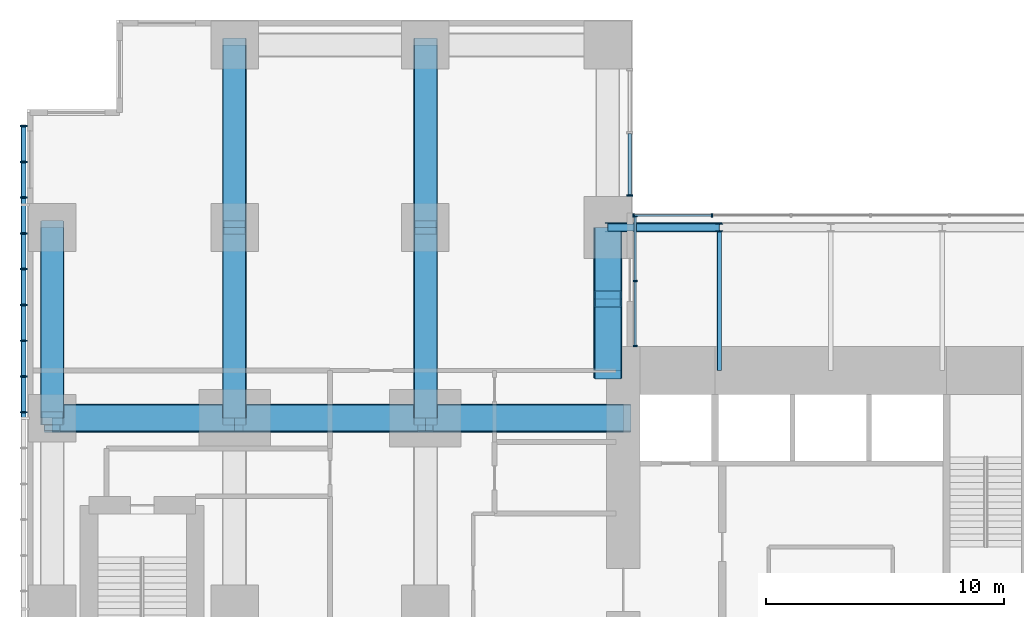
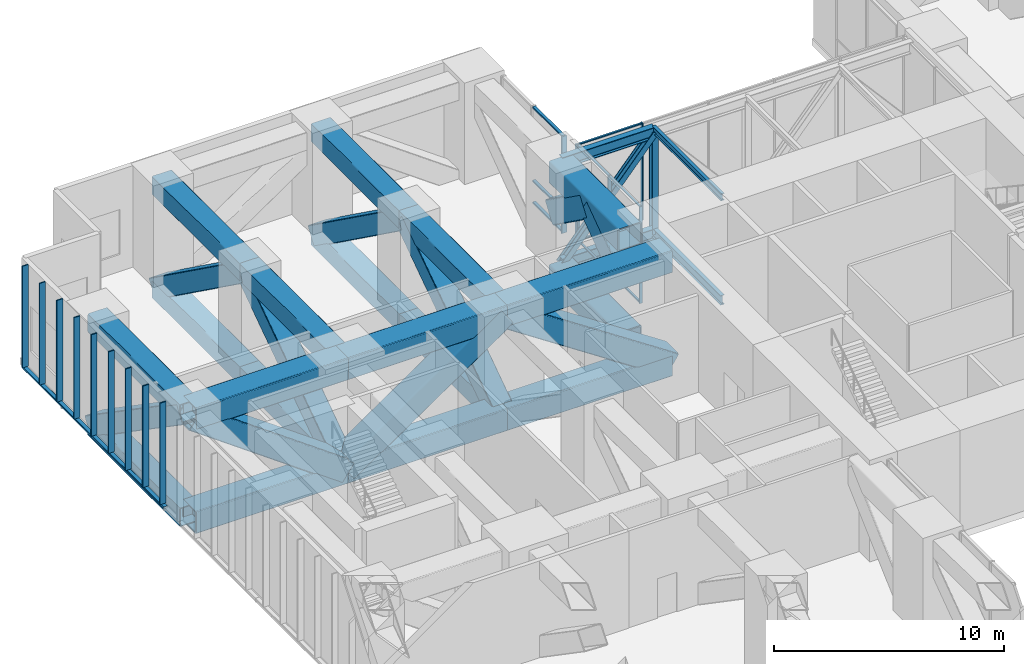
# One storey, part 4 of 17: 55 members, 4 beams, 3 elements without a shape of their own.
"""IFC4 building model written with IfcOpenShell, lengths in metres."""

from ifc_helpers import new_model, si_unit, direction, frame, origin, origin_2d, place, context, subcontext, project, spatial, rectangle, hollow_rectangle, i_section, extrude, material, layer, layer_set, material_profile, profile_set, type_object, element, aggregate, save


model = new_model("IFC4")

# Units and contexts
model_context = context("Model", 3, precision=1e-05, world=origin(), true_north=direction((0.0, 1.0)))
body_context = subcontext(model_context, "Body", "Model", "MODEL_VIEW")
ifc_project = project(units=[si_unit("LENGTHUNIT", "METRE"), si_unit("AREAUNIT", "SQUARE_METRE"), si_unit("VOLUMEUNIT", "CUBIC_METRE"), si_unit("PLANEANGLEUNIT", "RADIAN"), si_unit("MASSUNIT", "GRAM", prefix="KILO")], contexts=[model_context])

# Site, building, storey
site_placement = place(None, origin())
site = spatial("IfcSite", under=ifc_project, at=site_placement, CompositionType="ELEMENT")
building_placement = place(site_placement, origin())
building = spatial("IfcBuilding", under=site, at=building_placement, Name="Cleftline Residences", CompositionType="ELEMENT")
storey_placement = place(building_placement, frame((0.0, 0.0, 90.800048828125)))
storey = spatial("IfcBuildingStorey", under=building, at=storey_placement, Name="L23", CompositionType="ELEMENT", Elevation=90.800048828125)

# Member
ifc_material_1 = material(Name="Steel S355, hot-dip galvanised", Category="steel")
ifc_material_profile_1 = material_profile(ifc_material_1, hollow_rectangle(XDim=0.10009765625, YDim=0.199951171875, WallThickness=0.008056640625, InnerFilletRadius=0.008056640625, OuterFilletRadius=0.011962890625, at=origin_2d()))
ifc_profile_set_1 = profile_set([ifc_material_profile_1], Name="Steel S355, hot-dip galvanised")
member_type_1 = type_object("IfcMemberType", Name="BAGUETTE CARRIER RHS 200X100X8", PredefinedType="USERDEFINED", material=ifc_profile_set_1)
member_1_placement = place(storey_placement, frame((-0.85009765625, 44.300048828125, -0.050048828125), z_axis=(0.0, -1.0, 0.0), x_axis=(0.0, 0.0, 1.0)))
element("IfcMember", 1, at=member_1_placement, inside=storey, type_object=member_type_1, Name="Baguette carrier", ObjectType="BAGUETTE CARRIER", PredefinedType="USERDEFINED", context=body_context, shape_type="SweptSolid", body=[
    extrude(hollow_rectangle(XDim=0.10009765625, YDim=0.199951171875, WallThickness=0.008056640625, InnerFilletRadius=0.008056640625, OuterFilletRadius=0.011962890625, at=origin_2d()), origin(), (0.0, 0.0, 1.0), 12.300048828125),
])

# Beams
ifc_material_2 = material(Name="Steel S355", Category="steel")
ifc_material_profile_2 = material_profile(ifc_material_2, i_section(OverallWidth=0.169921875, OverallDepth=0.360107421875, WebThickness=0.008056640625, FlangeThickness=0.0126953125, FilletRadius=0.01806640625, at=origin_2d()))
ifc_profile_set_2 = profile_set([ifc_material_profile_2], Name="Steel S355")
beam_type_1 = type_object("IfcBeamType", Name="BEAM IPE 360", PredefinedType="BEAM", material=ifc_profile_set_2)
beam_1_placement = place(storey_placement, frame((28.324951171875, 40.0, 5.02001953125), z_axis=(0.0, -1.0, 0.0), x_axis=(1.0, 0.0, 0.0)))
element("IfcBeam", 2, at=beam_1_placement, inside=storey, type_object=beam_type_1, Name="Bridge roof beam", PredefinedType="BEAM", context=body_context, shape_type="SweptSolid", body=[
    extrude(i_section(OverallWidth=0.169921875, OverallDepth=0.360107421875, WebThickness=0.008056640625, FlangeThickness=0.0126953125, FilletRadius=0.01806640625, at=origin_2d()), origin(), (0.0, 0.0, 1.0), 6.0),
])
ifc_material_3 = material(Name="Steel S355", Category="steel")
ifc_material_profile_3 = material_profile(ifc_material_3, i_section(OverallWidth=0.199951171875, OverallDepth=0.5, WebThickness=0.01025390625, FlangeThickness=0.01611328125, FilletRadius=0.02099609375, at=origin_2d()))
ifc_profile_set_3 = profile_set([ifc_material_profile_3], Name="Steel S355")
beam_type_2 = type_object("IfcBeamType", Name="BEAM IPE 500", PredefinedType="BEAM", material=ifc_profile_set_3)
beam_2_placement = place(storey_placement, frame((28.324951171875, 40.0, -0.449951171875), z_axis=(0.0, -1.0, 0.0), x_axis=(1.0, 0.0, 0.0)))
element("IfcBeam", 3, at=beam_2_placement, inside=storey, type_object=beam_type_2, Name="Bridge floor beam", PredefinedType="BEAM", context=body_context, shape_type="SweptSolid", body=[
    extrude(i_section(OverallWidth=0.199951171875, OverallDepth=0.5, WebThickness=0.01025390625, FlangeThickness=0.01611328125, FilletRadius=0.02099609375, at=origin_2d()), origin(), (0.0, 0.0, 1.0), 6.0),
])

# Members
ifc_material_4 = material(Name="Steel S355", Category="steel")
ifc_material_profile_4 = material_profile(ifc_material_4, hollow_rectangle(XDim=1.0, YDim=1.0, WallThickness=0.0400390625, InnerFilletRadius=0.0400390625, OuterFilletRadius=0.06005859375, at=origin_2d()))
ifc_profile_set_4 = profile_set([ifc_material_profile_4], Name="Steel S355")
member_type_2 = type_object("IfcMemberType", Name="BRACE BOX 1000X1000X40", PredefinedType="BRACE", material=ifc_profile_set_4)
for number, where, z_axis, x_axis, name in (
    (4, (0.35009765625, 32.0, 4.64990234375), (0.0, 0.824041924199, -0.566528822887), (0.0, 0.566528822887, 0.824041924199), "Belt truss diagonal"),
    (5, (8.0, 32.0, -0.85009765625), (0.0, 0.824041924199, 0.566528822887), (0.0, -0.566528822887, 0.824041924199), "Belt truss diagonal"),
):
    element("IfcMember", number, at=place(storey_placement, frame(where, z_axis=z_axis, x_axis=x_axis)), inside=storey, type_object=member_type_2, Name=name, PredefinedType="BRACE", context=body_context, shape_type="SweptSolid", body=[
        extrude(hollow_rectangle(XDim=1.0, YDim=1.0, WallThickness=0.0400390625, InnerFilletRadius=0.0400390625, OuterFilletRadius=0.06005859375, at=origin_2d()), origin(), (0.0, 0.0, 1.0), 9.708251953125),
    ])
member_2_placement = place(storey_placement, frame((8.0, 40.0, 4.64990234375), z_axis=(0.0, 0.811933238445, -0.583750303048), x_axis=(0.0, 0.583750303048, 0.811933238445)))
element("IfcMember", 6, at=member_2_placement, inside=storey, type_object=member_type_2, Name="Belt truss diagonal", PredefinedType="BRACE", context=body_context, shape_type="SweptSolid", body=[
    extrude(hollow_rectangle(XDim=1.0, YDim=1.0, WallThickness=0.0400390625, InnerFilletRadius=0.0400390625, OuterFilletRadius=0.06005859375, at=origin_2d()), origin(), (0.0, 0.0, 1.0), 9.421875),
])
member_3_placement = place(storey_placement, frame((16.0, 32.0, -0.85009765625), z_axis=(0.0, 0.824041924199, 0.566528822887), x_axis=(0.0, -0.566528822887, 0.824041924199)))
element("IfcMember", 7, at=member_3_placement, inside=storey, type_object=member_type_2, Name="Belt truss diagonal", PredefinedType="BRACE", context=body_context, shape_type="SweptSolid", body=[
    extrude(hollow_rectangle(XDim=1.0, YDim=1.0, WallThickness=0.0400390625, InnerFilletRadius=0.0400390625, OuterFilletRadius=0.06005859375, at=origin_2d()), origin(), (0.0, 0.0, 1.0), 9.708251953125),
])
member_4_placement = place(storey_placement, frame((16.0, 40.0, 4.64990234375), z_axis=(0.0, 0.811933238445, -0.583750303048), x_axis=(0.0, 0.583750303048, 0.811933238445)))
element("IfcMember", 8, at=member_4_placement, inside=storey, type_object=member_type_2, Name="Belt truss diagonal", PredefinedType="BRACE", context=body_context, shape_type="SweptSolid", body=[
    extrude(hollow_rectangle(XDim=1.0, YDim=1.0, WallThickness=0.0400390625, InnerFilletRadius=0.0400390625, OuterFilletRadius=0.06005859375, at=origin_2d()), origin(), (0.0, 0.0, 1.0), 9.421875),
])
ifc_material_5 = material(Name="Steel S355", Category="steel")
ifc_material_profile_5 = material_profile(ifc_material_5, hollow_rectangle(XDim=1.199951171875, YDim=1.199951171875, WallThickness=0.06005859375, InnerFilletRadius=0.06005859375, OuterFilletRadius=0.090087890625, at=origin_2d()))
ifc_profile_set_5 = profile_set([ifc_material_profile_5], Name="Steel S355")
member_type_3 = type_object("IfcMemberType", Name="BRACE BOX 1200X1200X60", PredefinedType="BRACE", material=ifc_profile_set_5)
member_5_placement = place(storey_placement, frame((24.300048828125, 32.0, -0.949951171875), z_axis=(-0.833593682581, 0.0, 0.552378106338), x_axis=(0.552378106338, 0.0, 0.833593682581)))
element("IfcMember", 9, at=member_5_placement, inside=storey, type_object=member_type_3, Name="Outrigger truss diagonal", PredefinedType="BRACE", context=body_context, shape_type="SweptSolid", body=[
    extrude(hollow_rectangle(XDim=1.199951171875, YDim=1.199951171875, WallThickness=0.06005859375, InnerFilletRadius=0.06005859375, OuterFilletRadius=0.090087890625, at=origin_2d()), origin(), (0.0, 0.0, 1.0), 9.95703125),
])
member_6_placement = place(storey_placement, frame((16.0, 32.0, 4.550048828125), z_axis=(-0.824041924199, 0.0, -0.566528822887), x_axis=(-0.566528822887, 0.0, 0.824041924199)))
element("IfcMember", 10, at=member_6_placement, inside=storey, type_object=member_type_3, Name="Outrigger truss diagonal", PredefinedType="BRACE", context=body_context, shape_type="SweptSolid", body=[
    extrude(hollow_rectangle(XDim=1.199951171875, YDim=1.199951171875, WallThickness=0.06005859375, InnerFilletRadius=0.06005859375, OuterFilletRadius=0.090087890625, at=origin_2d()), origin(), (0.0, 0.0, 1.0), 9.708251953125),
])
member_7_placement = place(storey_placement, frame((8.0, 32.0, -0.949951171875), z_axis=(-0.811933238445, 0.0, 0.583750303048), x_axis=(0.583750303048, 0.0, 0.811933238445)))
element("IfcMember", 11, at=member_7_placement, inside=storey, type_object=member_type_3, Name="Outrigger truss diagonal", PredefinedType="BRACE", context=body_context, shape_type="SweptSolid", body=[
    extrude(hollow_rectangle(XDim=1.199951171875, YDim=1.199951171875, WallThickness=0.06005859375, InnerFilletRadius=0.06005859375, OuterFilletRadius=0.090087890625, at=origin_2d()), origin(), (0.0, 0.0, 1.0), 9.421875),
])
for number, where, z_axis, x_axis, name in (
    (12, (23.64990234375, 40.0, 2.39990234375), (0.0, -0.812798335898, 0.582545161479), (0.0, 0.582545161479, 0.812798335898), "Outrigger truss diagonal"),
    (13, (23.64990234375, 34.0, 2.39990234375), (0.0, 0.812798335898, 0.582545161479), (0.0, -0.582545161479, 0.812798335898), "Outrigger truss diagonal"),
):
    element("IfcMember", number, at=place(storey_placement, frame(where, z_axis=z_axis, x_axis=x_axis)), inside=storey, type_object=member_type_3, Name=name, PredefinedType="BRACE", context=body_context, shape_type="SweptSolid", body=[
        extrude(hollow_rectangle(XDim=1.199951171875, YDim=1.199951171875, WallThickness=0.06005859375, InnerFilletRadius=0.06005859375, OuterFilletRadius=0.090087890625, at=origin_2d()), origin(), (0.0, 0.0, 1.0), 3.69091796875),
    ])
ifc_material_6 = material(Name="Steel S355", Category="steel")
ifc_material_profile_6 = material_profile(ifc_material_6, i_section(OverallWidth=0.300048828125, OverallDepth=0.39990234375, WebThickness=0.013427734375, FlangeThickness=0.02392578125, FilletRadius=0.027099609375, at=origin_2d()))
ifc_profile_set_6 = profile_set([ifc_material_profile_6], Name="Steel S355")
member_type_4 = type_object("IfcMemberType", Name="BRACE HEB 400", PredefinedType="BRACE", material=ifc_profile_set_6)
member_8_placement = place(storey_placement, frame((23.64990234375, 40.0, -0.5), z_axis=(0.654541355199, 0.0, 0.756026199503), x_axis=(-0.756026199503, 0.0, 0.654541355199)))
element("IfcMember", 14, at=member_8_placement, inside=storey, type_object=member_type_4, Name="Sky bridge truss diagonal", PredefinedType="BRACE", context=body_context, shape_type="SweptSolid", body=[
    extrude(i_section(OverallWidth=0.300048828125, OverallDepth=0.39990234375, WebThickness=0.013427734375, FlangeThickness=0.02392578125, FilletRadius=0.027099609375, at=origin_2d()), origin(), (0.0, 0.0, 1.0), 7.142578125),
])

# Beams
ifc_material_7 = material(Name="Steel S355", Category="steel")
ifc_material_profile_7 = material_profile(ifc_material_7, i_section(OverallWidth=0.300048828125, OverallDepth=0.60009765625, WebThickness=0.015380859375, FlangeThickness=0.030029296875, FilletRadius=0.027099609375, at=origin_2d()))
ifc_profile_set_7 = profile_set([ifc_material_profile_7], Name="Steel S355")
beam_type_3 = type_object("IfcBeamType", Name="BRIDGE CHORD HEB 600", PredefinedType="BEAM", material=ifc_profile_set_7)
for number, where, z_axis, x_axis, name in (
    (15, (23.64990234375, 40.0, -0.5), (1.0, 0.0, 0.0), (0.0, 1.0, 0.0), "Sky bridge truss bottom chord"),
    (16, (23.64990234375, 40.0, 4.89990234375), (1.0, 0.0, 0.0), (0.0, 1.0, 0.0), "Sky bridge truss top chord"),
):
    element("IfcBeam", number, at=place(storey_placement, frame(where, z_axis=z_axis, x_axis=x_axis)), inside=storey, type_object=beam_type_3, Name=name, PredefinedType="BEAM", context=body_context, shape_type="SweptSolid", body=[
        extrude(i_section(OverallWidth=0.300048828125, OverallDepth=0.60009765625, WebThickness=0.015380859375, FlangeThickness=0.030029296875, FilletRadius=0.027099609375, at=origin_2d()), origin(), (0.0, 0.0, 1.0), 4.675048828125),
    ])

# Members
ifc_material_8 = material(Name="Steel S355", Category="steel")
ifc_material_profile_8 = material_profile(ifc_material_8, hollow_rectangle(XDim=1.0, YDim=1.0, WallThickness=0.0400390625, InnerFilletRadius=0.0400390625, OuterFilletRadius=0.06005859375, at=origin_2d()))
ifc_profile_set_8 = profile_set([ifc_material_profile_8], Name="Steel S355")
member_type_5 = type_object("IfcMemberType", Name="CHORD BOX 1000X1000X40", PredefinedType="CHORD", material=ifc_profile_set_8)
for number, where, z_axis, x_axis, name in (
    (17, (0.35009765625, 32.0, -0.85009765625), (0.0, 1.0, 0.0), (-1.0, 0.0, 0.0), "Belt truss bottom chord"),
    (18, (0.35009765625, 32.0, 4.64990234375), (0.0, 1.0, 0.0), (-1.0, 0.0, 0.0), "Belt truss top chord"),
    (19, (8.0, 32.0, -0.85009765625), (0.0, 1.0, 0.0), (-1.0, 0.0, 0.0), "Belt truss bottom chord"),
    (20, (8.0, 32.0, 4.64990234375), (0.0, 1.0, 0.0), (-1.0, 0.0, 0.0), "Belt truss top chord"),
):
    element("IfcMember", number, at=place(storey_placement, frame(where, z_axis=z_axis, x_axis=x_axis)), inside=storey, type_object=member_type_5, Name=name, PredefinedType="CHORD", context=body_context, shape_type="SweptSolid", body=[
        extrude(hollow_rectangle(XDim=1.0, YDim=1.0, WallThickness=0.0400390625, InnerFilletRadius=0.0400390625, OuterFilletRadius=0.06005859375, at=origin_2d()), origin(), (0.0, 0.0, 1.0), 8.0),
    ])
for number, where, z_axis, x_axis, name in (
    (21, (8.0, 40.0, -0.85009765625), (0.0, 1.0, 0.0), (-1.0, 0.0, 0.0), "Belt truss bottom chord"),
    (22, (8.0, 40.0, 4.64990234375), (0.0, 1.0, 0.0), (-1.0, 0.0, 0.0), "Belt truss top chord"),
):
    element("IfcMember", number, at=place(storey_placement, frame(where, z_axis=z_axis, x_axis=x_axis)), inside=storey, type_object=member_type_5, Name=name, PredefinedType="CHORD", context=body_context, shape_type="SweptSolid", body=[
        extrude(hollow_rectangle(XDim=1.0, YDim=1.0, WallThickness=0.0400390625, InnerFilletRadius=0.0400390625, OuterFilletRadius=0.06005859375, at=origin_2d()), origin(), (0.0, 0.0, 1.0), 7.64990234375),
    ])
for number, where, z_axis, x_axis, name in (
    (23, (16.0, 32.0, -0.85009765625), (0.0, 1.0, 0.0), (-1.0, 0.0, 0.0), "Belt truss bottom chord"),
    (24, (16.0, 32.0, 4.64990234375), (0.0, 1.0, 0.0), (-1.0, 0.0, 0.0), "Belt truss top chord"),
):
    element("IfcMember", number, at=place(storey_placement, frame(where, z_axis=z_axis, x_axis=x_axis)), inside=storey, type_object=member_type_5, Name=name, PredefinedType="CHORD", context=body_context, shape_type="SweptSolid", body=[
        extrude(hollow_rectangle(XDim=1.0, YDim=1.0, WallThickness=0.0400390625, InnerFilletRadius=0.0400390625, OuterFilletRadius=0.06005859375, at=origin_2d()), origin(), (0.0, 0.0, 1.0), 8.0),
    ])
for number, where, z_axis, x_axis, name in (
    (25, (16.0, 40.0, -0.85009765625), (0.0, 1.0, 0.0), (-1.0, 0.0, 0.0), "Belt truss bottom chord"),
    (26, (16.0, 40.0, 4.64990234375), (0.0, 1.0, 0.0), (-1.0, 0.0, 0.0), "Belt truss top chord"),
):
    element("IfcMember", number, at=place(storey_placement, frame(where, z_axis=z_axis, x_axis=x_axis)), inside=storey, type_object=member_type_5, Name=name, PredefinedType="CHORD", context=body_context, shape_type="SweptSolid", body=[
        extrude(hollow_rectangle(XDim=1.0, YDim=1.0, WallThickness=0.0400390625, InnerFilletRadius=0.0400390625, OuterFilletRadius=0.06005859375, at=origin_2d()), origin(), (0.0, 0.0, 1.0), 7.64990234375),
    ])
ifc_material_9 = material(Name="Steel S355", Category="steel")
ifc_material_profile_9 = material_profile(ifc_material_9, hollow_rectangle(XDim=1.199951171875, YDim=1.199951171875, WallThickness=0.06005859375, InnerFilletRadius=0.06005859375, OuterFilletRadius=0.090087890625, at=origin_2d()))
ifc_profile_set_9 = profile_set([ifc_material_profile_9], Name="Steel S355")
member_type_6 = type_object("IfcMemberType", Name="CHORD BOX 1200X1200X60", PredefinedType="CHORD", material=ifc_profile_set_9)
for number, where, z_axis, x_axis, name in (
    (27, (24.300048828125, 32.0, -0.949951171875), (-1.0, 0.0, 0.0), (0.0, -1.0, 0.0), "Outrigger truss bottom chord"),
    (28, (24.300048828125, 32.0, 4.550048828125), (-1.0, 0.0, 0.0), (0.0, -1.0, 0.0), "Outrigger truss top chord"),
):
    element("IfcMember", number, at=place(storey_placement, frame(where, z_axis=z_axis, x_axis=x_axis)), inside=storey, type_object=member_type_6, Name=name, PredefinedType="CHORD", context=body_context, shape_type="SweptSolid", body=[
        extrude(hollow_rectangle(XDim=1.199951171875, YDim=1.199951171875, WallThickness=0.06005859375, InnerFilletRadius=0.06005859375, OuterFilletRadius=0.090087890625, at=origin_2d()), origin(), (0.0, 0.0, 1.0), 8.300048828125),
    ])
for number, where, z_axis, x_axis, name in (
    (29, (16.0, 32.0, -0.949951171875), (-1.0, 0.0, 0.0), (0.0, -1.0, 0.0), "Outrigger truss bottom chord"),
    (30, (16.0, 32.0, 4.550048828125), (-1.0, 0.0, 0.0), (0.0, -1.0, 0.0), "Outrigger truss top chord"),
):
    element("IfcMember", number, at=place(storey_placement, frame(where, z_axis=z_axis, x_axis=x_axis)), inside=storey, type_object=member_type_6, Name=name, PredefinedType="CHORD", context=body_context, shape_type="SweptSolid", body=[
        extrude(hollow_rectangle(XDim=1.199951171875, YDim=1.199951171875, WallThickness=0.06005859375, InnerFilletRadius=0.06005859375, OuterFilletRadius=0.090087890625, at=origin_2d()), origin(), (0.0, 0.0, 1.0), 8.0),
    ])
for number, where, z_axis, x_axis, name in (
    (31, (8.0, 32.0, -0.949951171875), (-1.0, 0.0, 0.0), (0.0, -1.0, 0.0), "Outrigger truss bottom chord"),
    (32, (8.0, 32.0, 4.550048828125), (-1.0, 0.0, 0.0), (0.0, -1.0, 0.0), "Outrigger truss top chord"),
):
    element("IfcMember", number, at=place(storey_placement, frame(where, z_axis=z_axis, x_axis=x_axis)), inside=storey, type_object=member_type_6, Name=name, PredefinedType="CHORD", context=body_context, shape_type="SweptSolid", body=[
        extrude(hollow_rectangle(XDim=1.199951171875, YDim=1.199951171875, WallThickness=0.06005859375, InnerFilletRadius=0.06005859375, OuterFilletRadius=0.090087890625, at=origin_2d()), origin(), (0.0, 0.0, 1.0), 7.64990234375),
    ])
for number, where, z_axis, x_axis, name in (
    (33, (23.64990234375, 40.0, -0.949951171875), (0.0, -1.0, 0.0), (1.0, 0.0, 0.0), "Outrigger truss bottom chord"),
    (34, (23.64990234375, 40.0, 4.550048828125), (0.0, -1.0, 0.0), (1.0, 0.0, 0.0), "Outrigger truss top chord"),
):
    element("IfcMember", number, at=place(storey_placement, frame(where, z_axis=z_axis, x_axis=x_axis)), inside=storey, type_object=member_type_6, Name=name, PredefinedType="CHORD", context=body_context, shape_type="SweptSolid", body=[
        extrude(hollow_rectangle(XDim=1.199951171875, YDim=1.199951171875, WallThickness=0.06005859375, InnerFilletRadius=0.06005859375, OuterFilletRadius=0.090087890625, at=origin_2d()), origin(), (0.0, 0.0, 1.0), 6.0),
    ])

# Curtain wall, members
ifc_material_10 = material(Name="Aluminium framed curtain wall", Category="aluminium")
ifc_layer_1 = layer(ifc_material_10, 0.199951171875)
ifc_layer_set_1 = layer_set([ifc_layer_1], Name="CW3 BRIDGE GLAZING")
curtain_wall_type_1 = type_object("IfcCurtainWallType", Name="CW3 BRIDGE GLAZING", PredefinedType="NOTDEFINED", material=ifc_layer_set_1)
curtain_wall_1_placement = place(storey_placement, origin())
curtain_wall_1 = element("IfcCurtainWall", 35, at=curtain_wall_1_placement, inside=storey, type_object=curtain_wall_type_1, Name="Curtain wall CW3", PredefinedType="NOTDEFINED")
ifc_material_11 = material(Name="Aluminium mullion", Category="aluminium")
ifc_material_profile_10 = material_profile(ifc_material_11, rectangle(XDim=0.159912109375, YDim=0.06005859375, at=origin_2d()))
ifc_profile_set_10 = profile_set([ifc_material_profile_10], Name="Aluminium mullion")
member_type_7 = type_object("IfcMemberType", Name="CW3 MULLION", PredefinedType="MULLION", material=ifc_profile_set_10)
member_9_placement = place(storey_placement, frame((28.02001953125, 40.5, 0.0), z_axis=(0.0, 0.0, 1.0), x_axis=(0.0, -1.0, 0.0)))
member_9 = element("IfcMember", 36, at=member_9_placement, type_object=member_type_7, Name="CW3 mullion 5", PredefinedType="MULLION", context=body_context, shape_type="SweptSolid", body=[
    extrude(rectangle(XDim=0.159912109375, YDim=0.06005859375, at=origin_2d()), origin(), (0.0, 0.0, 1.0), 5.14990234375),
])
member_10_placement = place(storey_placement, frame((24.72998046875, 40.5, 0.0), z_axis=(0.0, 0.0, 1.0), x_axis=(0.0, -1.0, 0.0)))
member_10 = element("IfcMember", 37, at=member_10_placement, type_object=member_type_7, Name="CW3 mullion 6", PredefinedType="MULLION", context=body_context, shape_type="SweptSolid", body=[
    extrude(rectangle(XDim=0.159912109375, YDim=0.06005859375, at=origin_2d()), origin(), (0.0, 0.0, 1.0), 5.14990234375),
])

curtain_wall_2_placement = place(storey_placement, origin())
curtain_wall_2 = element("IfcCurtainWall", 38, at=curtain_wall_2_placement, inside=storey, type_object=curtain_wall_type_1, Name="Curtain wall CW3", PredefinedType="NOTDEFINED")
member_11_placement = place(storey_placement, frame((24.800048828125, 35.030029296875, 0.0), z_axis=(0.0, 0.0, 1.0), x_axis=(-1.0, 0.0, 0.0)))
member_11 = element("IfcMember", 39, at=member_11_placement, type_object=member_type_7, Name="CW3 mullion 1", PredefinedType="MULLION", context=body_context, shape_type="SweptSolid", body=[
    extrude(rectangle(XDim=0.159912109375, YDim=0.06005859375, at=origin_2d()), origin(), (0.0, 0.0, 1.0), 5.14990234375),
])
member_12_placement = place(storey_placement, frame((24.800048828125, 37.75, 0.0), z_axis=(0.0, 0.0, 1.0), x_axis=(-1.0, 0.0, 0.0)))
member_12 = element("IfcMember", 40, at=member_12_placement, type_object=member_type_7, Name="CW3 mullion 2", PredefinedType="MULLION", context=body_context, shape_type="SweptSolid", body=[
    extrude(rectangle(XDim=0.159912109375, YDim=0.06005859375, at=origin_2d()), origin(), (0.0, 0.0, 1.0), 5.14990234375),
])
member_13_placement = place(storey_placement, frame((24.800048828125, 40.469970703125, 0.0), z_axis=(0.0, 0.0, 1.0), x_axis=(-1.0, 0.0, 0.0)))
member_13 = element("IfcMember", 41, at=member_13_placement, type_object=member_type_7, Name="CW3 mullion 3", PredefinedType="MULLION", context=body_context, shape_type="SweptSolid", body=[
    extrude(rectangle(XDim=0.159912109375, YDim=0.06005859375, at=origin_2d()), origin(), (0.0, 0.0, 1.0), 5.14990234375),
])

# Member
ifc_material_12 = material(Name="Aluminium transom", Category="aluminium")
ifc_material_profile_11 = material_profile(ifc_material_12, rectangle(XDim=0.095947265625, YDim=0.06005859375, at=origin_2d()))
ifc_profile_set_11 = profile_set([ifc_material_profile_11], Name="Aluminium transom")
member_type_8 = type_object("IfcMemberType", Name="CW3 TRANSOM", PredefinedType="USERDEFINED", material=ifc_profile_set_11)
member_14_placement = place(storey_placement, frame((27.989990234375, 40.5, 0.030029296875), z_axis=(-1.0, 0.0, 0.0), x_axis=(0.0, -1.0, 0.0)))
member_14 = element("IfcMember", 42, at=member_14_placement, type_object=member_type_8, Name="CW3 transom 5.1", ObjectType="TRANSOM", PredefinedType="USERDEFINED", context=body_context, shape_type="SweptSolid", body=[
    extrude(rectangle(XDim=0.095947265625, YDim=0.06005859375, at=origin_2d()), origin(), (0.0, 0.0, 1.0), 3.22998046875),
])

member_15_placement = place(storey_placement, frame((27.989990234375, 40.5, 5.119873046875), z_axis=(-1.0, 0.0, 0.0), x_axis=(0.0, -1.0, 0.0)))
member_15 = element("IfcMember", 43, at=member_15_placement, type_object=member_type_8, Name="CW3 transom 5.2", ObjectType="TRANSOM", PredefinedType="USERDEFINED", context=body_context, shape_type="SweptSolid", body=[
    extrude(rectangle(XDim=0.095947265625, YDim=0.06005859375, at=origin_2d()), origin(), (0.0, 0.0, 1.0), 3.22998046875),
])

aggregate(curtain_wall_1, [member_9, member_10, member_14, member_15])

member_16_placement = place(storey_placement, frame((24.800048828125, 35.06005859375, 0.030029296875), z_axis=(0.0, 1.0, 0.0), x_axis=(-1.0, 0.0, 0.0)))
member_16 = element("IfcMember", 44, at=member_16_placement, type_object=member_type_8, Name="CW3 transom 1.1", ObjectType="TRANSOM", PredefinedType="USERDEFINED", context=body_context, shape_type="SweptSolid", body=[
    extrude(rectangle(XDim=0.095947265625, YDim=0.06005859375, at=origin_2d()), origin(), (0.0, 0.0, 1.0), 2.659912109375),
])

member_17_placement = place(storey_placement, frame((24.800048828125, 35.06005859375, 5.119873046875), z_axis=(0.0, 1.0, 0.0), x_axis=(-1.0, 0.0, 0.0)))
member_17 = element("IfcMember", 45, at=member_17_placement, type_object=member_type_8, Name="CW3 transom 1.2", ObjectType="TRANSOM", PredefinedType="USERDEFINED", context=body_context, shape_type="SweptSolid", body=[
    extrude(rectangle(XDim=0.095947265625, YDim=0.06005859375, at=origin_2d()), origin(), (0.0, 0.0, 1.0), 2.659912109375),
])

member_18_placement = place(storey_placement, frame((24.800048828125, 37.780029296875, 0.030029296875), z_axis=(0.0, 1.0, 0.0), x_axis=(-1.0, 0.0, 0.0)))
member_18 = element("IfcMember", 46, at=member_18_placement, type_object=member_type_8, Name="CW3 transom 2.1", ObjectType="TRANSOM", PredefinedType="USERDEFINED", context=body_context, shape_type="SweptSolid", body=[
    extrude(rectangle(XDim=0.095947265625, YDim=0.06005859375, at=origin_2d()), origin(), (0.0, 0.0, 1.0), 2.659912109375),
])

member_19_placement = place(storey_placement, frame((24.800048828125, 37.780029296875, 5.119873046875), z_axis=(0.0, 1.0, 0.0), x_axis=(-1.0, 0.0, 0.0)))
member_19 = element("IfcMember", 47, at=member_19_placement, type_object=member_type_8, Name="CW3 transom 2.2", ObjectType="TRANSOM", PredefinedType="USERDEFINED", context=body_context, shape_type="SweptSolid", body=[
    extrude(rectangle(XDim=0.095947265625, YDim=0.06005859375, at=origin_2d()), origin(), (0.0, 0.0, 1.0), 2.659912109375),
])

aggregate(curtain_wall_2, [member_11, member_12, member_13, member_16, member_17, member_18, member_19])

# Curtain wall, members
ifc_material_13 = material(Name="Aluminium framed louvre screen", Category="aluminium")
ifc_layer_2 = layer(ifc_material_13, 0.25)
ifc_layer_set_2 = layer_set([ifc_layer_2], Name="CW6 REFUGE LOUVRE SCREEN")
curtain_wall_type_2 = type_object("IfcCurtainWallType", Name="CW6 REFUGE LOUVRE SCREEN", PredefinedType="NOTDEFINED", material=ifc_layer_set_2)
curtain_wall_3_placement = place(storey_placement, origin())
curtain_wall_3 = element("IfcCurtainWall", 48, at=curtain_wall_3_placement, inside=storey, type_object=curtain_wall_type_2, Name="Louvre screen CW6", PredefinedType="NOTDEFINED")
ifc_material_14 = material(Name="Aluminium louvre mullion", Category="aluminium")
ifc_material_profile_12 = material_profile(ifc_material_14, rectangle(XDim=0.25, YDim=0.080078125, at=origin_2d()))
ifc_profile_set_12 = profile_set([ifc_material_profile_12], Name="Aluminium louvre mullion")
member_type_9 = type_object("IfcMemberType", Name="CW6 LOUVRE MULLION", PredefinedType="MULLION", material=ifc_profile_set_12)
member_20_placement = place(storey_placement, frame((24.574951171875, 41.340087890625, 0.0), z_axis=(0.0, 0.0, 1.0), x_axis=(-1.0, 0.0, 0.0)))
member_20 = element("IfcMember", 49, at=member_20_placement, type_object=member_type_9, Name="CW6 mullion 1", PredefinedType="MULLION", context=body_context, shape_type="SweptSolid", body=[
    extrude(rectangle(XDim=0.25, YDim=0.080078125, at=origin_2d()), origin(), (0.0, 0.0, 1.0), 5.14990234375),
])
ifc_material_15 = material(Name="Aluminium louvre transom", Category="aluminium")
ifc_material_profile_13 = material_profile(ifc_material_15, rectangle(XDim=0.14990234375, YDim=0.080078125, at=origin_2d()))
ifc_profile_set_13 = profile_set([ifc_material_profile_13], Name="Aluminium louvre transom")
member_type_10 = type_object("IfcMemberType", Name="CW6 LOUVRE TRANSOM", PredefinedType="USERDEFINED", material=ifc_profile_set_13)
member_21_placement = place(storey_placement, frame((24.574951171875, 41.3798828125, 0.0400390625), z_axis=(0.0, 1.0, 0.0), x_axis=(-1.0, 0.0, 0.0)))
member_21 = element("IfcMember", 50, at=member_21_placement, type_object=member_type_10, Name="CW6 transom 1.1", ObjectType="TRANSOM", PredefinedType="USERDEFINED", context=body_context, shape_type="SweptSolid", body=[
    extrude(rectangle(XDim=0.14990234375, YDim=0.080078125, at=origin_2d()), origin(), (0.0, 0.0, 1.0), 2.55517578125),
])
member_22_placement = place(storey_placement, frame((24.574951171875, 41.3798828125, 1.199951171875), z_axis=(0.0, 1.0, 0.0), x_axis=(-1.0, 0.0, 0.0)))
member_22 = element("IfcMember", 51, at=member_22_placement, type_object=member_type_10, Name="CW6 transom 1.2", ObjectType="TRANSOM", PredefinedType="USERDEFINED", context=body_context, shape_type="SweptSolid", body=[
    extrude(rectangle(XDim=0.14990234375, YDim=0.080078125, at=origin_2d()), origin(), (0.0, 0.0, 1.0), 2.55517578125),
])
member_23_placement = place(storey_placement, frame((24.574951171875, 41.3798828125, 5.10986328125), z_axis=(0.0, 1.0, 0.0), x_axis=(-1.0, 0.0, 0.0)))
member_23 = element("IfcMember", 52, at=member_23_placement, type_object=member_type_10, Name="CW6 transom 1.3", ObjectType="TRANSOM", PredefinedType="USERDEFINED", context=body_context, shape_type="SweptSolid", body=[
    extrude(rectangle(XDim=0.14990234375, YDim=0.080078125, at=origin_2d()), origin(), (0.0, 0.0, 1.0), 2.55517578125),
])
aggregate(curtain_wall_3, [member_20, member_21, member_22, member_23])

# Members
ifc_material_16 = material(Name="Steel S355", Category="steel")
ifc_material_profile_14 = material_profile(ifc_material_16, i_section(OverallWidth=0.300048828125, OverallDepth=0.300048828125, WebThickness=0.010986328125, FlangeThickness=0.01904296875, FilletRadius=0.027099609375, at=origin_2d()))
ifc_profile_set_14 = profile_set([ifc_material_profile_14], Name="Steel S355")
member_type_11 = type_object("IfcMemberType", Name="POST HEB 300", PredefinedType="POST", material=ifc_profile_set_14)
member_24_placement = place(storey_placement, frame((28.324951171875, 40.0, -0.5), z_axis=(0.0, 0.0, 1.0), x_axis=(1.0, 0.0, 0.0)))
element("IfcMember", 53, at=member_24_placement, inside=storey, type_object=member_type_11, Name="Sky bridge truss post", PredefinedType="POST", context=body_context, shape_type="SweptSolid", body=[
    extrude(i_section(OverallWidth=0.300048828125, OverallDepth=0.300048828125, WebThickness=0.010986328125, FlangeThickness=0.01904296875, FilletRadius=0.027099609375, at=origin_2d()), origin(), (0.0, 0.0, 1.0), 5.39990234375),
])
ifc_material_17 = material(Name="Extruded terracotta", Category="masonry")
ifc_material_profile_15 = material_profile(ifc_material_17, rectangle(XDim=0.06005859375, YDim=0.300048828125, at=origin_2d()))
ifc_profile_set_15 = profile_set([ifc_material_profile_15], Name="Extruded terracotta")
member_type_12 = type_object("IfcMemberType", Name="TERRACOTTA BAGUETTE 60X300", PredefinedType="USERDEFINED", material=ifc_profile_set_15)
for number, where, z_axis, x_axis, name in (
    (54, (-0.85009765625, 44.25, 0.0), (0.0, 0.0, 1.0), (0.0, 1.0, 0.0), "Terracotta baguette"),
    (55, (-0.85009765625, 42.75, 0.0), (0.0, 0.0, 1.0), (0.0, 1.0, 0.0), "Terracotta baguette"),
    (56, (-0.85009765625, 41.25, 0.0), (0.0, 0.0, 1.0), (0.0, 1.0, 0.0), "Terracotta baguette"),
    (57, (-0.85009765625, 39.75, 0.0), (0.0, 0.0, 1.0), (0.0, 1.0, 0.0), "Terracotta baguette"),
    (58, (-0.85009765625, 38.25, 0.0), (0.0, 0.0, 1.0), (0.0, 1.0, 0.0), "Terracotta baguette"),
    (59, (-0.85009765625, 36.75, 0.0), (0.0, 0.0, 1.0), (0.0, 1.0, 0.0), "Terracotta baguette"),
    (60, (-0.85009765625, 35.25, 0.0), (0.0, 0.0, 1.0), (0.0, 1.0, 0.0), "Terracotta baguette"),
    (61, (-0.85009765625, 33.75, 0.0), (0.0, 0.0, 1.0), (0.0, 1.0, 0.0), "Terracotta baguette"),
    (62, (-0.85009765625, 32.25, 0.0), (0.0, 0.0, 1.0), (0.0, 1.0, 0.0), "Terracotta baguette"),
):
    element("IfcMember", number, at=place(storey_placement, frame(where, z_axis=z_axis, x_axis=x_axis)), inside=storey, type_object=member_type_12, Name=name, ObjectType="BAGUETTE", PredefinedType="USERDEFINED", context=body_context, shape_type="SweptSolid", body=[
        extrude(rectangle(XDim=0.06005859375, YDim=0.300048828125, at=origin_2d()), origin(), (0.0, 0.0, 1.0), 5.39990234375),
    ])

save(model, "model.ifc")
